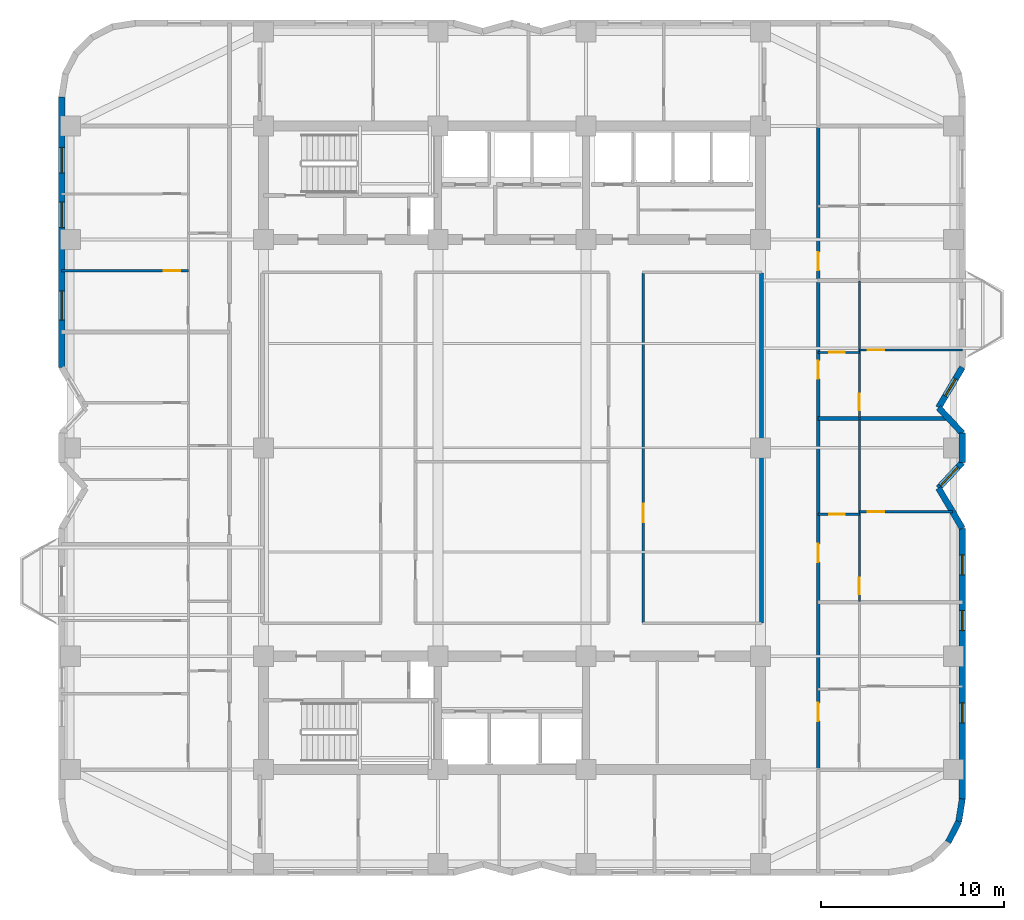
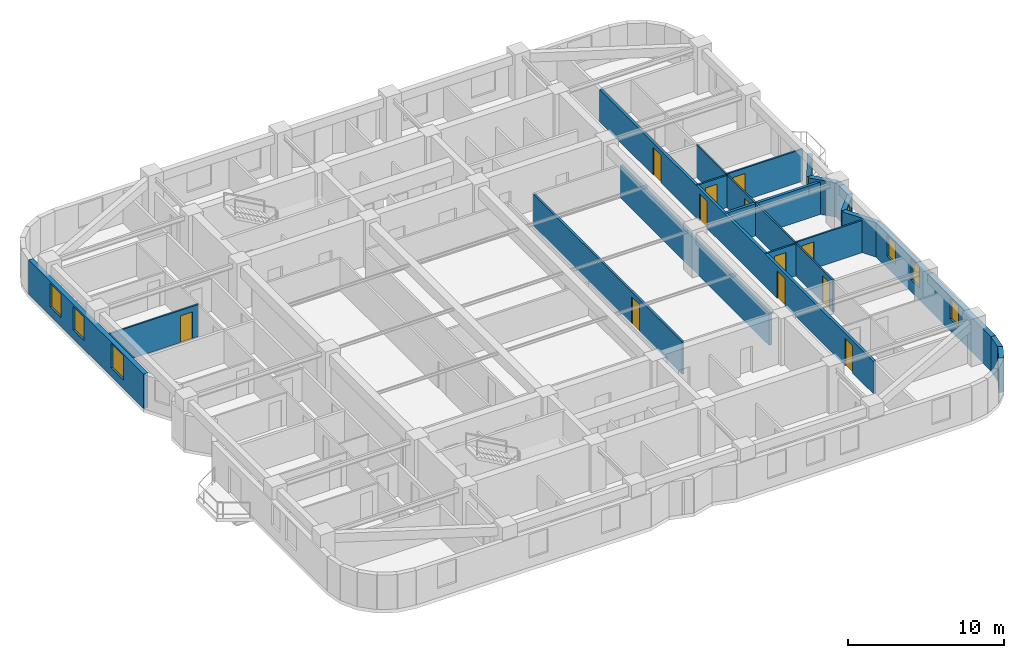
# One storey, part 5 of 10: 20 walls, 12 doors, 8 windows, 20 openings.
"""IFC4 building model written with IfcOpenShell, lengths in metres."""

import ifcopenshell
import ifcopenshell.guid

model = None  # the IFC model being written
_history = None  # IfcOwnerHistory: only IFC2X3 demands one
_inside = {}  # id of a spatial element -> (the spatial element, [elements in it])
_under = {}  # id of a project, library or spatial element -> (it, [spatial elements below it])
_declared = {}  # id of a project -> (the project, [libraries it declares])
_typed = {}  # id of a type object -> (the type object, [elements of that type])
_made_of = {}  # id of a material, layer set ... -> (it, [elements and type objects made of it])


def new_model(schema):
    """Start an empty IFC model of exactly this schema.

    Asked for "IFC4X3", IfcOpenShell would pick the latest addendum, in which some entities
    have other attributes; the version numbers below select the first issue.
    IFC2X3 requires an IfcOwnerHistory on every rooted entity: one is made here for all.
    """
    global model, _history
    if schema == "IFC4X3":
        model = ifcopenshell.file(schema_version=(4, 3, 0, 0))
    else:
        model = ifcopenshell.file(schema=schema)
    _inside.clear()
    _under.clear()
    _declared.clear()
    _typed.clear()
    _made_of.clear()
    _history = None
    if model.schema == "IFC2X3":
        org = make("IfcOrganization", Name="unknown")
        user = make(
            "IfcPersonAndOrganization",
            ThePerson=make("IfcPerson", FamilyName="unknown"),
            TheOrganization=org,
        )
        app = make(
            "IfcApplication",
            ApplicationDeveloper=org,
            Version="unknown",
            ApplicationFullName="unknown",
            ApplicationIdentifier="unknown",
        )
        _history = make(
            "IfcOwnerHistory",
            OwningUser=user,
            OwningApplication=app,
            ChangeAction="ADDED",
            CreationDate=0,
        )
    return model


def make(cls, **values):
    """One entity of the class cls with the attributes given. An attribute that is None is left unset."""
    return model.create_entity(
        cls, **{name: value for name, value in values.items() if value is not None}
    )


def rooted(cls, **values):
    """An entity with a GlobalId (a new one), such as an element, a storey or a relation."""
    return make(cls, GlobalId=ifcopenshell.guid.new(), OwnerHistory=_history, **values)


def si_unit(unit_type, name, prefix=None):
    """IfcSIUnit, for example si_unit("LENGTHUNIT", "METRE", prefix="MILLI")."""
    return make("IfcSIUnit", UnitType=unit_type, Prefix=prefix, Name=name)


def assignment(units):
    """IfcUnitAssignment: the units of a project."""
    return None if units is None else make("IfcUnitAssignment", Units=units)


def point(xyz):
    """IfcCartesianPoint."""
    return None if xyz is None else make("IfcCartesianPoint", Coordinates=xyz)


def direction(xyz):
    """IfcDirection."""
    return None if xyz is None else make("IfcDirection", DirectionRatios=xyz)


def frame(location, z_axis=None, x_axis=None):
    """IfcAxis2Placement3D, a coordinate frame: its origin and axes. An axis left out is left unset."""
    return make(
        "IfcAxis2Placement3D",
        Location=point(location),
        Axis=direction(z_axis),
        RefDirection=direction(x_axis),
    )


def frame_2d(location, x_axis=None):
    """IfcAxis2Placement2D, a coordinate frame in the plane: its origin and x axis."""
    return make(
        "IfcAxis2Placement2D", Location=point(location), RefDirection=direction(x_axis)
    )


def origin():
    """The frame at (0, 0, 0) with its axes left unset."""
    return frame((0.0, 0.0, 0.0))


def place(relative_to, where):
    """IfcLocalPlacement: puts the frame where relative to a parent placement (None: the world)."""
    return make(
        "IfcLocalPlacement", PlacementRelTo=relative_to, RelativePlacement=where
    )


def context(
    kind, dimensions, precision=None, world=None, true_north=None, identifier=None
):
    """IfcGeometricRepresentationContext, for example the 3D "Model" context."""
    return make(
        "IfcGeometricRepresentationContext",
        ContextIdentifier=identifier,
        ContextType=kind,
        CoordinateSpaceDimension=dimensions,
        Precision=precision,
        WorldCoordinateSystem=world,
        TrueNorth=true_north,
    )


def subcontext(parent, identifier, kind, view, scale=None):
    """IfcGeometricRepresentationSubContext, for example "Body" below "Model"."""
    return make(
        "IfcGeometricRepresentationSubContext",
        ContextIdentifier=identifier,
        ContextType=kind,
        ParentContext=parent,
        TargetScale=scale,
        TargetView=view,
    )


def project(units=None, contexts=None):
    """IfcProject with its units and contexts."""
    return rooted(
        "IfcProject",
        Name="project",
        RepresentationContexts=contexts,
        UnitsInContext=assignment(units),
    )


def spatial(cls, under=None, at=None, **own):
    """A site, building, storey or space (cls), placed at a placement, below another one or the project."""
    s = rooted(cls, ObjectPlacement=at, **own)
    if under is not None:
        _under.setdefault(under.id(), (under, []))[1].append(s)
    return s


def profile(cls, at=None, kind="AREA", **sizes):
    """A parametric profile (cls). Its sizes go by their IFC names, for example OverallWidth=200.0."""
    return make(cls, ProfileType=kind, Position=at, **sizes)


def rectangle(**sizes):
    """IfcRectangleProfileDef."""
    return profile("IfcRectangleProfileDef", **sizes)


def extrude(swept, where, along, depth):
    """IfcExtrudedAreaSolid: the profile swept, set in the frame where, extruded along a direction by depth."""
    return make(
        "IfcExtrudedAreaSolid",
        SweptArea=swept,
        Position=where,
        ExtrudedDirection=direction(along),
        Depth=depth,
    )


def shape(context_of_items, identifier, shape_type, items):
    """IfcShapeRepresentation: the items that make up one representation, for example the "Body"."""
    return make(
        "IfcShapeRepresentation",
        ContextOfItems=context_of_items,
        RepresentationIdentifier=identifier,
        RepresentationType=shape_type,
        Items=items,
    )


def material(Name=None, Category=None):
    """IfcMaterial."""
    return make("IfcMaterial", Name=Name, Category=Category)


def layer(
    of_material, thickness, ventilated=None, Name=None, Category=None, Priority=None
):
    """IfcMaterialLayer: one layer of a wall or slab, of a material (None: an air gap)."""
    return make(
        "IfcMaterialLayer",
        Material=of_material,
        LayerThickness=thickness,
        IsVentilated=ventilated,
        Name=Name,
        Category=Category,
        Priority=Priority,
    )


def layer_set(layers, Name=None):
    """IfcMaterialLayerSet."""
    return make("IfcMaterialLayerSet", MaterialLayers=layers, LayerSetName=Name)


def made_of(thing, what):
    """Note that an element or type object is made of a material, layer set ...; save() writes the relation."""
    if what is not None:
        _made_of.setdefault(what.id(), (what, []))[1].append(thing)
    return thing


def type_object(cls, material=None, **own):
    """A type object (cls), such as IfcWallType, which elements share."""
    return made_of(rooted(cls, **own), material)


def element(
    cls,
    number,
    at=None,
    inside=None,
    cuts=None,
    type_object=None,
    material=None,
    context=None,
    identifier="Body",
    shape_type=None,
    held_by="IfcProductDefinitionShape",
    body=None,
    shapes=None,
    **own,
):
    """One element of the class cls, such as IfcWall. Its Tag is "e" and its number.

    at: its placement. inside: the storey or other place that contains it. cuts: it is an
    opening in that element (IfcRelVoidsElement). A single representation is given by context,
    identifier, shape_type and body (its items); several are given by shapes. held_by: the class
    of the entity that holds the representations. save() writes the other relations.
    """
    e = rooted(cls, Tag="e%d" % number, ObjectPlacement=at, **own)
    if body is not None:
        shapes = [shape(context, identifier, shape_type, body)]
    if shapes is not None:
        e.Representation = make(held_by, Representations=shapes)
    if inside is not None:
        _inside.setdefault(inside.id(), (inside, []))[1].append(e)
    if cuts is not None:
        rooted(
            "IfcRelVoidsElement", RelatingBuildingElement=cuts, RelatedOpeningElement=e
        )
    if type_object is not None:
        _typed.setdefault(type_object.id(), (type_object, []))[1].append(e)
    return made_of(e, material)


def fill(opening, filler):
    """IfcRelFillsElement: the door or window that sits in an opening."""
    return rooted(
        "IfcRelFillsElement",
        RelatingOpeningElement=opening,
        RelatedBuildingElement=filler,
    )


def aggregate(whole, parts):
    """IfcRelAggregates: a whole, such as a stair, and the parts it consists of."""
    return rooted("IfcRelAggregates", RelatingObject=whole, RelatedObjects=parts)


def save(model, path):
    """Write the relations noted so far, then the file.

    IfcRelAggregates (storeys below a building ...), IfcRelContainedInSpatialStructure (elements
    in a storey), IfcRelDefinesByType, IfcRelAssociatesMaterial and IfcRelDeclares: one each for
    every whole, place, type object, material and project.
    """
    for whole, parts in _under.values():
        aggregate(whole, parts)
    for where, things in _inside.values():
        rooted(
            "IfcRelContainedInSpatialStructure",
            RelatedElements=things,
            RelatingStructure=where,
        )
    for kind, things in _typed.values():
        rooted("IfcRelDefinesByType", RelatedObjects=things, RelatingType=kind)
    for what, things in _made_of.values():
        rooted("IfcRelAssociatesMaterial", RelatedObjects=things, RelatingMaterial=what)
    for by, libraries in _declared.values():
        rooted("IfcRelDeclares", RelatingContext=by, RelatedDefinitions=libraries)
    model.write(path)


model = new_model("IFC4")

# Units and contexts
model_context = context("Model", 3, precision=1e-05, world=origin(), true_north=direction((0.0, 1.0)))
body_context = subcontext(model_context, "Body", "Model", "MODEL_VIEW")
ifc_project = project(units=[si_unit("LENGTHUNIT", "METRE"), si_unit("AREAUNIT", "SQUARE_METRE"), si_unit("VOLUMEUNIT", "CUBIC_METRE"), si_unit("PLANEANGLEUNIT", "RADIAN"), si_unit("MASSUNIT", "GRAM", prefix="KILO")], contexts=[model_context])

# Site, building, storey
site_placement = place(None, origin())
site = spatial("IfcSite", under=ifc_project, at=site_placement, CompositionType="ELEMENT")
building_placement = place(site_placement, origin())
building = spatial("IfcBuilding", under=site, at=building_placement, Name="Svetorya Sky Lyceum", CompositionType="ELEMENT")
storey_placement = place(building_placement, frame((0.0, 0.0, 110.5)))
storey = spatial("IfcBuildingStorey", under=building, at=storey_placement, Name="L27", CompositionType="ELEMENT", Elevation=110.5)

# Walls
ifc_material_1 = material(Name="Putilovo limestone rainscreen on autoclaved cellular masonry", Category="masonry")
ifc_layer_1 = layer(ifc_material_1, 0.340087890625)
ifc_layer_set_1 = layer_set([ifc_layer_1], Name="Putilovo limestone rainscreen on autoclaved cellular masonry")
wall_type_1 = type_object("IfcWallType", Name="WL-EXT-340", PredefinedType="SOLIDWALL", material=ifc_layer_set_1)
for number, where, z_axis, x_axis, name in (
    (1, (63.060302734375, 6.631103515625, 0.0), (0.0, 0.0, 1.0), (0.454015689056, 0.890993689142, 0.0), "L27 Limestone Exterior Wall 15M"),
    (2, (63.6328125, 7.754638671875, 0.0), (0.0, 0.0, 1.0), (0.15644975923, 0.987685918112, 0.0), "L27 Limestone Exterior Wall 16M"),
):
    element("IfcWall", number, at=place(storey_placement, frame(where, z_axis=z_axis, x_axis=x_axis)), inside=storey, type_object=wall_type_1, Name=name, PredefinedType="SOLIDWALL", context=body_context, shape_type="SweptSolid", body=[
        extrude(rectangle(XDim=1.260986328125, YDim=0.340087890625, at=frame_2d((0.63037109375, 0.0))), origin(), (0.0, 0.0, 1.0), 2.699951171875),
    ])

# Wall, openings, windows
wall_1_placement = place(storey_placement, frame((63.830078125, 9.0, 0.0), z_axis=(0.0, 0.0, 1.0), x_axis=(0.0, 1.0, 0.0)))
wall_1 = element("IfcWall", 3, at=wall_1_placement, inside=storey, type_object=wall_type_1, Name="L27 Limestone Exterior Wall 17M", PredefinedType="SOLIDWALL", context=body_context, shape_type="SweptSolid", body=[
    extrude(rectangle(XDim=14.800048828125, YDim=0.340087890625, at=frame_2d((7.39990234375, 0.0))), origin(), (0.0, 0.0, 1.0), 2.699951171875),
])
opening_1_placement = place(wall_1_placement, frame((4.14990234375, 0.0, 0.929931640625)))
opening_1 = element("IfcOpeningElement", 4, at=opening_1_placement, cuts=wall_1, Name="Opening W-R3", PredefinedType="OPENING", context=body_context, shape_type="SweptSolid", body=[
    extrude(rectangle(XDim=1.10009765625, YDim=1.64990234375, at=frame_2d((0.550048828125, 0.824951171875))), frame((0.0, 0.179931640625, 0.0), z_axis=(0.0, -1.0, 0.0), x_axis=(1.0, 0.0, 0.0)), (0.0, 0.0, 1.0), 0.360107421875),
])
opening_2_placement = place(wall_1_placement, frame((9.199951171875, 0.0, 0.929931640625)))
opening_2 = element("IfcOpeningElement", 5, at=opening_2_placement, cuts=wall_1, Name="Opening W-R3", PredefinedType="OPENING", context=body_context, shape_type="SweptSolid", body=[
    extrude(rectangle(XDim=1.10009765625, YDim=1.64990234375, at=frame_2d((0.550048828125, 0.824951171875))), frame((0.0, 0.179931640625, 0.0), z_axis=(0.0, -1.0, 0.0), x_axis=(1.0, 0.0, 0.0)), (0.0, 0.0, 1.0), 0.360107421875),
])
opening_3_placement = place(wall_1_placement, frame((12.25, 0.0, 0.929931640625)))
opening_3 = element("IfcOpeningElement", 6, at=opening_3_placement, cuts=wall_1, Name="Opening W-R3", PredefinedType="OPENING", context=body_context, shape_type="SweptSolid", body=[
    extrude(rectangle(XDim=1.10009765625, YDim=1.64990234375, at=frame_2d((0.550048828125, 0.824951171875))), frame((0.0, 0.179931640625, 0.0), z_axis=(0.0, -1.0, 0.0), x_axis=(1.0, 0.0, 0.0)), (0.0, 0.0, 1.0), 0.360107421875),
])
ifc_material_2 = material(Name="Thermally broken aluminium frame with triple low-E glazing", Category="aluminium")
window_type_1 = type_object("IfcWindowType", Name="WN-RES-110", PartitioningType="SINGLE_PANEL", PredefinedType="WINDOW", material=ifc_material_2)
window_1_placement = place(opening_1_placement, origin())
window_1 = element("IfcWindow", 7, at=window_1_placement, inside=storey, type_object=window_type_1, Name="L27 Facade Window W-R3.17M.1", OverallHeight=1.64990234375, OverallWidth=1.10009765625, PartitioningType="SINGLE_PANEL", PredefinedType="WINDOW", context=body_context, shape_type="SweptSolid", body=[
    extrude(rectangle(XDim=1.10009765625, YDim=1.64990234375, at=frame_2d((0.550048828125, 0.824951171875))), frame((0.0, 0.030029296875, 0.0), z_axis=(0.0, -1.0, 0.0), x_axis=(1.0, 0.0, 0.0)), (0.0, 0.0, 1.0), 0.06005859375),
])
fill(opening_1, window_1)
window_2_placement = place(opening_2_placement, origin())
window_2 = element("IfcWindow", 8, at=window_2_placement, inside=storey, type_object=window_type_1, Name="L27 Facade Window W-R3.17M.2", OverallHeight=1.64990234375, OverallWidth=1.10009765625, PartitioningType="SINGLE_PANEL", PredefinedType="WINDOW", context=body_context, shape_type="SweptSolid", body=[
    extrude(rectangle(XDim=1.10009765625, YDim=1.64990234375, at=frame_2d((0.550048828125, 0.824951171875))), frame((0.0, 0.030029296875, 0.0), z_axis=(0.0, -1.0, 0.0), x_axis=(1.0, 0.0, 0.0)), (0.0, 0.0, 1.0), 0.06005859375),
])
fill(opening_2, window_2)
window_3_placement = place(opening_3_placement, origin())
window_3 = element("IfcWindow", 9, at=window_3_placement, inside=storey, type_object=window_type_1, Name="L27 Facade Window W-R3.17M.3", OverallHeight=1.64990234375, OverallWidth=1.10009765625, PartitioningType="SINGLE_PANEL", PredefinedType="WINDOW", context=body_context, shape_type="SweptSolid", body=[
    extrude(rectangle(XDim=1.10009765625, YDim=1.64990234375, at=frame_2d((0.550048828125, 0.824951171875))), frame((0.0, 0.030029296875, 0.0), z_axis=(0.0, -1.0, 0.0), x_axis=(1.0, 0.0, 0.0)), (0.0, 0.0, 1.0), 0.06005859375),
])
fill(opening_3, window_3)

# Wall
wall_2_placement = place(storey_placement, frame((63.830078125, 23.800048828125, 0.0), z_axis=(0.0, 0.0, 1.0), x_axis=(-0.508751843651, 0.860913213734, 0.0)))
element("IfcWall", 10, at=wall_2_placement, inside=storey, type_object=wall_type_1, Name="L27 Limestone Exterior Wall 18M", PredefinedType="SOLIDWALL", context=body_context, shape_type="SweptSolid", body=[
    extrude(rectangle(XDim=2.555419921875, YDim=0.340087890625, at=frame_2d((1.27783203125, 0.0))), origin(), (0.0, 0.0, 1.0), 2.699951171875),
])

# Wall, opening, window
wall_3_placement = place(storey_placement, frame((62.530029296875, 26.0, 0.0), z_axis=(0.0, 0.0, 1.0), x_axis=(0.68049031116, 0.732757078722, 0.0)))
wall_3 = element("IfcWall", 11, at=wall_3_placement, inside=storey, type_object=wall_type_1, Name="L27 Limestone Exterior Wall 19M", PredefinedType="SOLIDWALL", context=body_context, shape_type="SweptSolid", body=[
    extrude(rectangle(XDim=1.910400390625, YDim=0.340087890625, at=frame_2d((0.955078125, 0.0))), origin(), (0.0, 0.0, 1.0), 2.699951171875),
])
opening_4_placement = place(wall_3_placement, frame((0.159912109375, 0.0, 0.68994140625)))
opening_4 = element("IfcOpeningElement", 12, at=opening_4_placement, cuts=wall_3, Name="Opening W-R2", PredefinedType="OPENING", context=body_context, shape_type="SweptSolid", body=[
    extrude(rectangle(XDim=1.39990234375, YDim=1.85009765625, at=frame_2d((0.699951171875, 0.925048828125))), frame((0.0, 0.179931640625, 0.0), z_axis=(0.0, -1.0, 0.0), x_axis=(1.0, 0.0, 0.0)), (0.0, 0.0, 1.0), 0.360107421875),
])
window_type_2 = type_object("IfcWindowType", Name="WN-RES-140", PartitioningType="SINGLE_PANEL", PredefinedType="WINDOW", material=ifc_material_2)
window_4_placement = place(opening_4_placement, origin())
window_4 = element("IfcWindow", 13, at=window_4_placement, inside=storey, type_object=window_type_2, Name="L27 Facade Window W-R2.19M.1", OverallHeight=1.85009765625, OverallWidth=1.39990234375, PartitioningType="SINGLE_PANEL", PredefinedType="WINDOW", context=body_context, shape_type="SweptSolid", body=[
    extrude(rectangle(XDim=1.39990234375, YDim=1.85009765625, at=frame_2d((0.699951171875, 0.925048828125))), frame((0.0, 0.030029296875, 0.0), z_axis=(0.0, -1.0, 0.0), x_axis=(1.0, 0.0, 0.0)), (0.0, 0.0, 1.0), 0.06005859375),
])
fill(opening_4, window_4)

# Walls
wall_4_placement = place(storey_placement, frame((63.830078125, 27.39990234375, 0.0), z_axis=(0.0, 0.0, 1.0), x_axis=(0.0, 1.0, 0.0)))
element("IfcWall", 14, at=wall_4_placement, inside=storey, type_object=wall_type_1, Name="L27 Limestone Exterior Wall 20M", PredefinedType="SOLIDWALL", context=body_context, shape_type="SweptSolid", body=[
    extrude(rectangle(XDim=1.60009765625, YDim=0.340087890625, at=frame_2d((0.800048828125, 0.0))), origin(), (0.0, 0.0, 1.0), 2.699951171875),
])
wall_5_placement = place(storey_placement, frame((63.830078125, 29.0, 0.0), z_axis=(0.0, 0.0, 1.0), x_axis=(-0.68049031116, 0.732757078722, 0.0)))
element("IfcWall", 15, at=wall_5_placement, inside=storey, type_object=wall_type_1, Name="L27 Limestone Exterior Wall 21M", PredefinedType="SOLIDWALL", context=body_context, shape_type="SweptSolid", body=[
    extrude(rectangle(XDim=1.910400390625, YDim=0.340087890625, at=frame_2d((0.955078125, 0.0))), origin(), (0.0, 0.0, 1.0), 2.699951171875),
])

# Wall, opening, window
wall_6_placement = place(storey_placement, frame((62.530029296875, 30.39990234375, 0.0), z_axis=(0.0, 0.0, 1.0), x_axis=(0.508710000703, 0.860937939218, 0.0)))
wall_6 = element("IfcWall", 16, at=wall_6_placement, inside=storey, type_object=wall_type_1, Name="L27 Limestone Exterior Wall 22M", PredefinedType="SOLIDWALL", context=body_context, shape_type="SweptSolid", body=[
    extrude(rectangle(XDim=2.5556640625, YDim=0.340087890625, at=frame_2d((1.27783203125, 0.0))), origin(), (0.0, 0.0, 1.0), 2.699951171875),
])
opening_5_placement = place(wall_6_placement, frame((0.727783203125, 0.0, 0.889892578125)))
opening_5 = element("IfcOpeningElement", 17, at=opening_5_placement, cuts=wall_6, Name="Opening W-R3", PredefinedType="OPENING", context=body_context, shape_type="SweptSolid", body=[
    extrude(rectangle(XDim=1.10009765625, YDim=1.64990234375, at=frame_2d((0.550048828125, 0.824951171875))), frame((0.0, 0.179931640625, 0.0), z_axis=(0.0, -1.0, 0.0), x_axis=(1.0, 0.0, 0.0)), (0.0, 0.0, 1.0), 0.360107421875),
])
window_5_placement = place(opening_5_placement, origin())
window_5 = element("IfcWindow", 18, at=window_5_placement, inside=storey, type_object=window_type_1, Name="L27 Facade Window W-R3.22M.1", OverallHeight=1.64990234375, OverallWidth=1.10009765625, PartitioningType="SINGLE_PANEL", PredefinedType="WINDOW", context=body_context, shape_type="SweptSolid", body=[
    extrude(rectangle(XDim=1.10009765625, YDim=1.64990234375, at=frame_2d((0.550048828125, 0.824951171875))), frame((0.0, 0.030029296875, 0.0), z_axis=(0.0, -1.0, 0.0), x_axis=(1.0, 0.0, 0.0)), (0.0, 0.0, 1.0), 0.06005859375),
])
fill(opening_5, window_5)

# Wall, openings, windows
wall_7_placement = place(storey_placement, frame((14.570068359375, 47.39990234375, 0.0), z_axis=(0.0, 0.0, 1.0), x_axis=(0.0, -1.0, 0.0)))
wall_7 = element("IfcWall", 19, at=wall_7_placement, inside=storey, type_object=wall_type_1, Name="L27 Limestone Exterior Wall 40M", PredefinedType="SOLIDWALL", context=body_context, shape_type="SweptSolid", body=[
    extrude(rectangle(XDim=14.7998046875, YDim=0.340087890625, at=frame_2d((7.39990234375, 0.0))), origin(), (0.0, 0.0, 1.0), 2.699951171875),
])
opening_6_placement = place(wall_7_placement, frame((2.760009765625, 0.0, 0.68994140625)))
opening_6 = element("IfcOpeningElement", 20, at=opening_6_placement, cuts=wall_7, Name="Opening W-R2", PredefinedType="OPENING", context=body_context, shape_type="SweptSolid", body=[
    extrude(rectangle(XDim=1.39990234375, YDim=1.85009765625, at=frame_2d((0.699951171875, 0.925048828125))), frame((0.0, 0.179931640625, 0.0), z_axis=(0.0, -1.0, 0.0), x_axis=(1.0, 0.0, 0.0)), (0.0, 0.0, 1.0), 0.360107421875),
])
opening_7_placement = place(wall_7_placement, frame((5.760009765625, 0.0, 0.68994140625)))
opening_7 = element("IfcOpeningElement", 21, at=opening_7_placement, cuts=wall_7, Name="Opening W-R2", PredefinedType="OPENING", context=body_context, shape_type="SweptSolid", body=[
    extrude(rectangle(XDim=1.39990234375, YDim=1.85009765625, at=frame_2d((0.699951171875, 0.925048828125))), frame((0.0, 0.179931640625, 0.0), z_axis=(0.0, -1.0, 0.0), x_axis=(1.0, 0.0, 0.0)), (0.0, 0.0, 1.0), 0.360107421875),
])
opening_8_placement = place(wall_7_placement, frame((10.612548828125, 0.0, 0.679931640625)))
opening_8 = element("IfcOpeningElement", 22, at=opening_8_placement, cuts=wall_7, Name="Opening W-R4", PredefinedType="OPENING", context=body_context, shape_type="SweptSolid", body=[
    extrude(rectangle(XDim=1.60009765625, YDim=1.89990234375, at=frame_2d((0.800048828125, 0.949951171875))), frame((0.0, 0.179931640625, 0.0), z_axis=(0.0, -1.0, 0.0), x_axis=(1.0, 0.0, 0.0)), (0.0, 0.0, 1.0), 0.360107421875),
])
window_6_placement = place(opening_6_placement, origin())
window_6 = element("IfcWindow", 23, at=window_6_placement, inside=storey, type_object=window_type_2, Name="L27 Facade Window W-R2.40M.3", OverallHeight=1.85009765625, OverallWidth=1.39990234375, PartitioningType="SINGLE_PANEL", PredefinedType="WINDOW", context=body_context, shape_type="SweptSolid", body=[
    extrude(rectangle(XDim=1.39990234375, YDim=1.85009765625, at=frame_2d((0.699951171875, 0.925048828125))), frame((0.0, 0.030029296875, 0.0), z_axis=(0.0, -1.0, 0.0), x_axis=(1.0, 0.0, 0.0)), (0.0, 0.0, 1.0), 0.06005859375),
])
fill(opening_6, window_6)
window_7_placement = place(opening_7_placement, origin())
window_7 = element("IfcWindow", 24, at=window_7_placement, inside=storey, type_object=window_type_2, Name="L27 Facade Window W-R2.40M.2", OverallHeight=1.85009765625, OverallWidth=1.39990234375, PartitioningType="SINGLE_PANEL", PredefinedType="WINDOW", context=body_context, shape_type="SweptSolid", body=[
    extrude(rectangle(XDim=1.39990234375, YDim=1.85009765625, at=frame_2d((0.699951171875, 0.925048828125))), frame((0.0, 0.030029296875, 0.0), z_axis=(0.0, -1.0, 0.0), x_axis=(1.0, 0.0, 0.0)), (0.0, 0.0, 1.0), 0.06005859375),
])
fill(opening_7, window_7)
window_type_3 = type_object("IfcWindowType", Name="WN-RES-160", PartitioningType="DOUBLE_PANEL_VERTICAL", PredefinedType="WINDOW", material=ifc_material_2)
window_8_placement = place(opening_8_placement, origin())
window_8 = element("IfcWindow", 25, at=window_8_placement, inside=storey, type_object=window_type_3, Name="L27 Facade Window W-R4.40M.1", OverallHeight=1.89990234375, OverallWidth=1.60009765625, PartitioningType="SINGLE_PANEL", PredefinedType="WINDOW", context=body_context, shape_type="SweptSolid", body=[
    extrude(rectangle(XDim=1.60009765625, YDim=1.89990234375, at=frame_2d((0.800048828125, 0.949951171875))), frame((0.0, 0.030029296875, 0.0), z_axis=(0.0, -1.0, 0.0), x_axis=(1.0, 0.0, 0.0)), (0.0, 0.0, 1.0), 0.06005859375),
])
fill(opening_8, window_8)

# Wall, opening, door
ifc_material_3 = material(Name="Twin-stud galvanized framing with double fireboard", Category="gypsum")
ifc_layer_2 = layer(ifc_material_3, 0.1201171875)
ifc_layer_set_2 = layer_set([ifc_layer_2], Name="Twin-stud galvanized framing with double fireboard")
wall_type_2 = type_object("IfcWallType", Name="WL-PART-120", PredefinedType="PARTITIONING", material=ifc_layer_set_2)
wall_8_placement = place(storey_placement, frame((14.570068359375, 37.885986328125, 0.0), z_axis=(0.0, 0.0, 1.0), x_axis=(1.0, 0.0, 0.0)))
wall_8 = element("IfcWall", 26, at=wall_8_placement, inside=storey, type_object=wall_type_2, Name="L27 Interior Partition W3-WL1", PredefinedType="PARTITIONING", context=body_context, shape_type="SweptSolid", body=[
    extrude(rectangle(XDim=6.929931640625, YDim=0.1201171875, at=frame_2d((3.46484375, 0.0))), origin(), (0.0, 0.0, 1.0), 2.530029296875),
])
opening_9_placement = place(wall_8_placement, frame((5.580078125, 0.0, 0.0)))
opening_9 = element("IfcOpeningElement", 27, at=opening_9_placement, cuts=wall_8, Name="Opening D-RM1", PredefinedType="OPENING", context=body_context, shape_type="SweptSolid", body=[
    extrude(rectangle(XDim=0.89990234375, YDim=2.10009765625, at=frame_2d((0.449951171875, 1.050048828125))), frame((0.0, 0.070068359375, 0.0), z_axis=(0.0, -1.0, 0.0), x_axis=(1.0, 0.0, 0.0)), (0.0, 0.0, 1.0), 0.14013671875),
])
ifc_material_4 = material(Name="Lacquered birch veneer internal door")
door_type_1 = type_object("IfcDoorType", Name="DR-INT-900", OperationType="SINGLE_SWING_LEFT", PredefinedType="DOOR", material=ifc_material_4)
door_1_placement = place(opening_9_placement, origin())
door_1 = element("IfcDoor", 28, at=door_1_placement, inside=storey, type_object=door_type_1, Name="Apartment W3 Master Bedroom Door", OperationType="SINGLE_SWING_LEFT", OverallHeight=2.10009765625, OverallWidth=0.89990234375, PredefinedType="DOOR", context=body_context, shape_type="SweptSolid", body=[
    extrude(rectangle(XDim=0.89990234375, YDim=2.10009765625, at=frame_2d((0.449951171875, 1.050048828125))), frame((0.0, 0.02490234375, 0.0), z_axis=(0.0, -1.0, 0.0), x_axis=(1.0, 0.0, 0.0)), (0.0, 0.0, 1.0), 0.050048828125),
])
fill(opening_9, door_1)

wall_9_placement = place(storey_placement, frame((55.949951171875, 24.572021484375, 0.0), z_axis=(0.0, 0.0, 1.0), x_axis=(1.0, 0.0, 0.0)))
wall_9 = element("IfcWall", 29, at=wall_9_placement, inside=storey, type_object=wall_type_2, Name="L27 Interior Partition E2-WH1", PredefinedType="PARTITIONING", context=body_context, shape_type="SweptSolid", body=[
    extrude(rectangle(XDim=2.25, YDim=0.1201171875, at=frame_2d((1.125, 0.0))), origin(), (0.0, 0.0, 1.0), 2.530029296875),
])
opening_10_placement = place(wall_9_placement, frame((0.60009765625, 0.0, 0.0)))
opening_10 = element("IfcOpeningElement", 30, at=opening_10_placement, cuts=wall_9, Name="Opening D-BT1", PredefinedType="OPENING", context=body_context, shape_type="SweptSolid", body=[
    extrude(rectangle(XDim=0.85009765625, YDim=2.10009765625, at=frame_2d((0.425048828125, 1.050048828125))), frame((0.0, 0.070068359375, 0.0), z_axis=(0.0, -1.0, 0.0), x_axis=(1.0, 0.0, 0.0)), (0.0, 0.0, 1.0), 0.14013671875),
])
ifc_material_5 = material(Name="Moisture-resistant laminate bathroom door")
door_type_2 = type_object("IfcDoorType", Name="DR-WET-850", OperationType="SINGLE_SWING_LEFT", PredefinedType="DOOR", material=ifc_material_5)
door_2_placement = place(opening_10_placement, origin())
door_2 = element("IfcDoor", 31, at=door_2_placement, inside=storey, type_object=door_type_2, Name="Apartment E2 Bathroom Door", OperationType="SINGLE_SWING_LEFT", OverallHeight=2.10009765625, OverallWidth=0.85009765625, PredefinedType="DOOR", context=body_context, shape_type="SweptSolid", body=[
    extrude(rectangle(XDim=0.85009765625, YDim=2.10009765625, at=frame_2d((0.425048828125, 1.050048828125))), frame((0.0, 0.02490234375, 0.0), z_axis=(0.0, -1.0, 0.0), x_axis=(1.0, 0.0, 0.0)), (0.0, 0.0, 1.0), 0.050048828125),
])
fill(opening_10, door_2)

wall_10_placement = place(storey_placement, frame((58.199951171875, 24.701904296875, 0.0), z_axis=(0.0, 0.0, 1.0), x_axis=(1.0, 0.0, 0.0)))
wall_10 = element("IfcWall", 32, at=wall_10_placement, inside=storey, type_object=wall_type_2, Name="L27 Interior Partition E2-WL1", PredefinedType="PARTITIONING", context=body_context, shape_type="SweptSolid", body=[
    extrude(rectangle(XDim=5.09716796875, YDim=0.1201171875, at=frame_2d((2.548583984375, 0.0))), origin(), (0.0, 0.0, 1.0), 2.530029296875),
])
opening_11_placement = place(wall_10_placement, frame((0.449951171875, 0.0, 0.0)))
opening_11 = element("IfcOpeningElement", 33, at=opening_11_placement, cuts=wall_10, Name="Opening D-RM1", PredefinedType="OPENING", context=body_context, shape_type="SweptSolid", body=[
    extrude(rectangle(XDim=0.89990234375, YDim=2.10009765625, at=frame_2d((0.449951171875, 1.050048828125))), frame((0.0, 0.070068359375, 0.0), z_axis=(0.0, -1.0, 0.0), x_axis=(1.0, 0.0, 0.0)), (0.0, 0.0, 1.0), 0.14013671875),
])
door_3_placement = place(opening_11_placement, origin())
door_3 = element("IfcDoor", 34, at=door_3_placement, inside=storey, type_object=door_type_1, Name="Apartment E2 Bedroom 1 Door", OperationType="SINGLE_SWING_LEFT", OverallHeight=2.10009765625, OverallWidth=0.89990234375, PredefinedType="DOOR", context=body_context, shape_type="SweptSolid", body=[
    extrude(rectangle(XDim=0.89990234375, YDim=2.10009765625, at=frame_2d((0.449951171875, 1.050048828125))), frame((0.0, 0.02490234375, 0.0), z_axis=(0.0, -1.0, 0.0), x_axis=(1.0, 0.0, 0.0)), (0.0, 0.0, 1.0), 0.050048828125),
])
fill(opening_11, door_3)

wall_11_placement = place(storey_placement, frame((58.199951171875, 19.7919921875, 0.0), z_axis=(0.0, 0.0, 1.0), x_axis=(0.0, 1.0, 0.0)))
wall_11 = element("IfcWall", 35, at=wall_11_placement, inside=storey, type_object=wall_type_2, Name="L27 Interior Partition E2-WV", PredefinedType="PARTITIONING", context=body_context, shape_type="SweptSolid", body=[
    extrude(rectangle(XDim=9.968017578125, YDim=0.1201171875, at=frame_2d((4.98388671875, 0.0))), origin(), (0.0, 0.0, 1.0), 2.530029296875),
])
opening_12_placement = place(wall_11_placement, frame((0.409912109375, 0.0, 0.0)))
opening_12 = element("IfcOpeningElement", 36, at=opening_12_placement, cuts=wall_11, Name="Opening D-RM1", PredefinedType="OPENING", context=body_context, shape_type="SweptSolid", body=[
    extrude(rectangle(XDim=0.89990234375, YDim=2.10009765625, at=frame_2d((0.449951171875, 1.050048828125))), frame((0.0, 0.070068359375, 0.0), z_axis=(0.0, -1.0, 0.0), x_axis=(1.0, 0.0, 0.0)), (0.0, 0.0, 1.0), 0.14013671875),
])
door_4_placement = place(opening_12_placement, origin())
door_4 = element("IfcDoor", 37, at=door_4_placement, inside=storey, type_object=door_type_1, Name="Apartment E2 Living Door", OperationType="SINGLE_SWING_RIGHT", OverallHeight=2.10009765625, OverallWidth=0.89990234375, PredefinedType="DOOR", context=body_context, shape_type="SweptSolid", body=[
    extrude(rectangle(XDim=0.89990234375, YDim=2.10009765625, at=frame_2d((0.449951171875, 1.050048828125))), frame((0.0, 0.02490234375, 0.0), z_axis=(0.0, -1.0, 0.0), x_axis=(1.0, 0.0, 0.0)), (0.0, 0.0, 1.0), 0.050048828125),
])
fill(opening_12, door_4)

wall_12_placement = place(storey_placement, frame((55.949951171875, 33.419921875, 0.0), z_axis=(0.0, 0.0, 1.0), x_axis=(1.0, 0.0, 0.0)))
wall_12 = element("IfcWall", 38, at=wall_12_placement, inside=storey, type_object=wall_type_2, Name="L27 Interior Partition E3-WH1", PredefinedType="PARTITIONING", context=body_context, shape_type="SweptSolid", body=[
    extrude(rectangle(XDim=2.25, YDim=0.1201171875, at=frame_2d((1.125, 0.0))), origin(), (0.0, 0.0, 1.0), 2.530029296875),
])
opening_13_placement = place(wall_12_placement, frame((0.60009765625, 0.0, 0.0)))
opening_13 = element("IfcOpeningElement", 39, at=opening_13_placement, cuts=wall_12, Name="Opening D-BT1", PredefinedType="OPENING", context=body_context, shape_type="SweptSolid", body=[
    extrude(rectangle(XDim=0.85009765625, YDim=2.10009765625, at=frame_2d((0.425048828125, 1.050048828125))), frame((0.0, 0.070068359375, 0.0), z_axis=(0.0, -1.0, 0.0), x_axis=(1.0, 0.0, 0.0)), (0.0, 0.0, 1.0), 0.14013671875),
])
door_5_placement = place(opening_13_placement, origin())
door_5 = element("IfcDoor", 40, at=door_5_placement, inside=storey, type_object=door_type_2, Name="Apartment E3 Bathroom Door", OperationType="SINGLE_SWING_RIGHT", OverallHeight=2.10009765625, OverallWidth=0.85009765625, PredefinedType="DOOR", context=body_context, shape_type="SweptSolid", body=[
    extrude(rectangle(XDim=0.85009765625, YDim=2.10009765625, at=frame_2d((0.425048828125, 1.050048828125))), frame((0.0, 0.02490234375, 0.0), z_axis=(0.0, -1.0, 0.0), x_axis=(1.0, 0.0, 0.0)), (0.0, 0.0, 1.0), 0.050048828125),
])
fill(opening_13, door_5)

wall_13_placement = place(storey_placement, frame((58.199951171875, 33.550048828125, 0.0), z_axis=(0.0, 0.0, 1.0), x_axis=(1.0, 0.0, 0.0)))
wall_13 = element("IfcWall", 41, at=wall_13_placement, inside=storey, type_object=wall_type_2, Name="L27 Interior Partition E3-WL1", PredefinedType="PARTITIONING", context=body_context, shape_type="SweptSolid", body=[
    extrude(rectangle(XDim=5.630126953125, YDim=0.1201171875, at=frame_2d((2.81494140625, 0.0))), origin(), (0.0, 0.0, 1.0), 2.530029296875),
])
opening_14_placement = place(wall_13_placement, frame((0.449951171875, 0.0, 0.0)))
opening_14 = element("IfcOpeningElement", 42, at=opening_14_placement, cuts=wall_13, Name="Opening D-RM1", PredefinedType="OPENING", context=body_context, shape_type="SweptSolid", body=[
    extrude(rectangle(XDim=0.89990234375, YDim=2.10009765625, at=frame_2d((0.449951171875, 1.050048828125))), frame((0.0, 0.070068359375, 0.0), z_axis=(0.0, -1.0, 0.0), x_axis=(1.0, 0.0, 0.0)), (0.0, 0.0, 1.0), 0.14013671875),
])
door_6_placement = place(opening_14_placement, origin())
door_6 = element("IfcDoor", 43, at=door_6_placement, inside=storey, type_object=door_type_1, Name="Apartment E3 Bedroom 1 Door", OperationType="SINGLE_SWING_RIGHT", OverallHeight=2.10009765625, OverallWidth=0.89990234375, PredefinedType="DOOR", context=body_context, shape_type="SweptSolid", body=[
    extrude(rectangle(XDim=0.89990234375, YDim=2.10009765625, at=frame_2d((0.449951171875, 1.050048828125))), frame((0.0, 0.02490234375, 0.0), z_axis=(0.0, -1.0, 0.0), x_axis=(1.0, 0.0, 0.0)), (0.0, 0.0, 1.0), 0.050048828125),
])
fill(opening_14, door_6)

wall_14_placement = place(storey_placement, frame((58.199951171875, 29.840087890625, 0.0), z_axis=(0.0, 0.0, 1.0), x_axis=(0.0, 1.0, 0.0)))
wall_14 = element("IfcWall", 44, at=wall_14_placement, inside=storey, type_object=wall_type_2, Name="L27 Interior Partition E3-WV", PredefinedType="PARTITIONING", context=body_context, shape_type="SweptSolid", body=[
    extrude(rectangle(XDim=7.471923828125, YDim=0.1201171875, at=frame_2d((3.73583984375, 0.0))), origin(), (0.0, 0.0, 1.0), 2.530029296875),
])
opening_15_placement = place(wall_14_placement, frame((0.409912109375, 0.0, 0.0)))
opening_15 = element("IfcOpeningElement", 45, at=opening_15_placement, cuts=wall_14, Name="Opening D-RM1", PredefinedType="OPENING", context=body_context, shape_type="SweptSolid", body=[
    extrude(rectangle(XDim=0.89990234375, YDim=2.10009765625, at=frame_2d((0.449951171875, 1.050048828125))), frame((0.0, 0.070068359375, 0.0), z_axis=(0.0, -1.0, 0.0), x_axis=(1.0, 0.0, 0.0)), (0.0, 0.0, 1.0), 0.14013671875),
])
door_7_placement = place(opening_15_placement, origin())
door_7 = element("IfcDoor", 46, at=door_7_placement, inside=storey, type_object=door_type_1, Name="Apartment E3 Living Door", OperationType="SINGLE_SWING_LEFT", OverallHeight=2.10009765625, OverallWidth=0.89990234375, PredefinedType="DOOR", context=body_context, shape_type="SweptSolid", body=[
    extrude(rectangle(XDim=0.89990234375, YDim=2.10009765625, at=frame_2d((0.449951171875, 1.050048828125))), frame((0.0, 0.02490234375, 0.0), z_axis=(0.0, -1.0, 0.0), x_axis=(1.0, 0.0, 0.0)), (0.0, 0.0, 1.0), 0.050048828125),
])
fill(opening_15, door_7)

ifc_material_6 = material(Name="Autoclaved cellular masonry blockwork with acoustic render", Category="masonry")
ifc_layer_3 = layer(ifc_material_6, 0.14990234375)
ifc_layer_set_3 = layer_set([ifc_layer_3], Name="Autoclaved cellular masonry blockwork with acoustic render")
wall_type_3 = type_object("IfcWallType", Name="WL-PART-150", PredefinedType="PARTITIONING", material=ifc_layer_set_3)
wall_15_placement = place(storey_placement, frame((46.3798828125, 18.6298828125, 0.0), z_axis=(0.0, 0.0, 1.0), x_axis=(0.0, 1.0, 0.0)))
wall_15 = element("IfcWall", 47, at=wall_15_placement, inside=storey, type_object=wall_type_3, Name="L27 Interior Partition ISL-EE", PredefinedType="PARTITIONING", context=body_context, shape_type="SweptSolid", body=[
    extrude(rectangle(XDim=19.14013671875, YDim=0.14990234375, at=frame_2d((9.570068359375, 0.0))), origin(), (0.0, 0.0, 1.0), 2.530029296875),
])
opening_16_placement = place(wall_15_placement, frame((5.5, 0.0, 0.0)))
opening_16 = element("IfcOpeningElement", 48, at=opening_16_placement, cuts=wall_15, Name="Opening D-RM2", PredefinedType="OPENING", context=body_context, shape_type="SweptSolid", body=[
    extrude(rectangle(XDim=1.0, YDim=2.14990234375, at=frame_2d((0.5, 1.074951171875))), frame((0.0, 0.0849609375, 0.0), z_axis=(0.0, -1.0, 0.0), x_axis=(1.0, 0.0, 0.0)), (0.0, 0.0, 1.0), 0.169921875),
])
ifc_material_7 = material(Name="Solid-core oak acoustic room door")
door_type_3 = type_object("IfcDoorType", Name="DR-INT-1000", OperationType="SINGLE_SWING_LEFT", PredefinedType="DOOR", material=ifc_material_7)
door_8_placement = place(opening_16_placement, origin())
door_8 = element("IfcDoor", 49, at=door_8_placement, inside=storey, type_object=door_type_3, Name="L27 East Lounge Door", OperationType="SINGLE_SWING_RIGHT", OverallHeight=2.14990234375, OverallWidth=1.0, PredefinedType="DOOR", context=body_context, shape_type="SweptSolid", body=[
    extrude(rectangle(XDim=1.0, YDim=2.14990234375, at=frame_2d((0.5, 1.074951171875))), frame((0.0, 0.02490234375, 0.0), z_axis=(0.0, -1.0, 0.0), x_axis=(1.0, 0.0, 0.0)), (0.0, 0.0, 1.0), 0.050048828125),
])
fill(opening_16, door_8)

# Walls
ifc_material_8 = material(Name="Autoclaved cellular masonry blockwork with gypsum plaster", Category="masonry")
ifc_layer_4 = layer(ifc_material_8, 0.199951171875)
ifc_layer_set_4 = layer_set([ifc_layer_4], Name="Autoclaved cellular masonry blockwork with gypsum plaster")
wall_type_4 = type_object("IfcWallType", Name="WL-PART-200", PredefinedType="PARTITIONING", material=ifc_layer_set_4)
wall_16_placement = place(storey_placement, frame((52.85009765625, 18.6298828125, 0.0), z_axis=(0.0, 0.0, 1.0), x_axis=(0.0, 1.0, 0.0)))
element("IfcWall", 50, at=wall_16_placement, inside=storey, type_object=wall_type_4, Name="L27 Interior Partition E-CEN-SEP", PredefinedType="PARTITIONING", context=body_context, shape_type="SweptSolid", body=[
    extrude(rectangle(XDim=19.14013671875, YDim=0.199951171875, at=frame_2d((9.570068359375, 0.0))), origin(), (0.0, 0.0, 1.0), 2.530029296875),
])
wall_17_placement = place(storey_placement, frame((55.949951171875, 29.800048828125, 0.0), z_axis=(0.0, 0.0, 1.0), x_axis=(1.0, 0.0, 0.0)))
element("IfcWall", 51, at=wall_17_placement, inside=storey, type_object=wall_type_4, Name="L27 Interior Partition E-PARTY-2", PredefinedType="PARTITIONING", context=body_context, shape_type="SweptSolid", body=[
    extrude(rectangle(XDim=7.13720703125, YDim=0.199951171875, at=frame_2d((3.568603515625, 0.0))), origin(), (0.0, 0.0, 1.0), 2.530029296875),
])

# Wall, openings, doors
wall_18_placement = place(storey_placement, frame((55.949951171875, 10.60009765625, 0.0), z_axis=(0.0, 0.0, 1.0), x_axis=(0.0, 1.0, 0.0)))
wall_18 = element("IfcWall", 52, at=wall_18_placement, inside=storey, type_object=wall_type_4, Name="L27 Interior Partition E-CORRW", PredefinedType="PARTITIONING", context=body_context, shape_type="SweptSolid", body=[
    extrude(rectangle(XDim=35.199951171875, YDim=0.199951171875, at=frame_2d((17.60009765625, 0.0))), origin(), (0.0, 0.0, 1.0), 2.530029296875),
])
opening_17_placement = place(wall_18_placement, frame((2.64990234375, 0.0, 0.0)))
opening_17 = element("IfcOpeningElement", 53, at=opening_17_placement, cuts=wall_18, Name="Opening D-APT1", PredefinedType="OPENING", context=body_context, shape_type="SweptSolid", body=[
    extrude(rectangle(XDim=1.0, YDim=2.14990234375, at=frame_2d((0.5, 1.074951171875))), frame((0.0, 0.10986328125, 0.0), z_axis=(0.0, -1.0, 0.0), x_axis=(1.0, 0.0, 0.0)), (0.0, 0.0, 1.0), 0.219970703125),
])
opening_18_placement = place(wall_18_placement, frame((11.35205078125, 0.0, 0.0)))
opening_18 = element("IfcOpeningElement", 54, at=opening_18_placement, cuts=wall_18, Name="Opening D-APT1", PredefinedType="OPENING", context=body_context, shape_type="SweptSolid", body=[
    extrude(rectangle(XDim=1.0, YDim=2.14990234375, at=frame_2d((0.5, 1.074951171875))), frame((0.0, 0.10986328125, 0.0), z_axis=(0.0, -1.0, 0.0), x_axis=(1.0, 0.0, 0.0)), (0.0, 0.0, 1.0), 0.219970703125),
])
opening_19_placement = place(wall_18_placement, frame((21.3701171875, 0.0, 0.0)))
opening_19 = element("IfcOpeningElement", 55, at=opening_19_placement, cuts=wall_18, Name="Opening D-APT1", PredefinedType="OPENING", context=body_context, shape_type="SweptSolid", body=[
    extrude(rectangle(XDim=1.0, YDim=2.14990234375, at=frame_2d((0.5, 1.074951171875))), frame((0.0, 0.10986328125, 0.0), z_axis=(0.0, -1.0, 0.0), x_axis=(1.0, 0.0, 0.0)), (0.0, 0.0, 1.0), 0.219970703125),
])
opening_20_placement = place(wall_18_placement, frame((27.302001953125, 0.0, 0.0)))
opening_20 = element("IfcOpeningElement", 56, at=opening_20_placement, cuts=wall_18, Name="Opening D-APT1", PredefinedType="OPENING", context=body_context, shape_type="SweptSolid", body=[
    extrude(rectangle(XDim=1.0, YDim=2.14990234375, at=frame_2d((0.5, 1.074951171875))), frame((0.0, 0.10986328125, 0.0), z_axis=(0.0, -1.0, 0.0), x_axis=(1.0, 0.0, 0.0)), (0.0, 0.0, 1.0), 0.219970703125),
])
ifc_material_9 = material(Name="Insulated oak-veneered apartment entrance door")
door_type_4 = type_object("IfcDoorType", Name="DR-APT-1000", OperationType="SINGLE_SWING_LEFT", PredefinedType="DOOR", material=ifc_material_9)
door_9_placement = place(opening_17_placement, origin())
door_9 = element("IfcDoor", 57, at=door_9_placement, inside=storey, type_object=door_type_4, Name="L27 Apartment E1 Entrance Door", OperationType="SINGLE_SWING_RIGHT", OverallHeight=2.14990234375, OverallWidth=1.0, PredefinedType="DOOR", context=body_context, shape_type="SweptSolid", body=[
    extrude(rectangle(XDim=1.0, YDim=2.14990234375, at=frame_2d((0.5, 1.074951171875))), frame((0.0, 0.02490234375, 0.0), z_axis=(0.0, -1.0, 0.0), x_axis=(1.0, 0.0, 0.0)), (0.0, 0.0, 1.0), 0.050048828125),
])
fill(opening_17, door_9)
door_10_placement = place(opening_18_placement, origin())
door_10 = element("IfcDoor", 58, at=door_10_placement, inside=storey, type_object=door_type_4, Name="L27 Apartment E2 Entrance Door", OperationType="SINGLE_SWING_LEFT", OverallHeight=2.14990234375, OverallWidth=1.0, PredefinedType="DOOR", context=body_context, shape_type="SweptSolid", body=[
    extrude(rectangle(XDim=1.0, YDim=2.14990234375, at=frame_2d((0.5, 1.074951171875))), frame((0.0, 0.02490234375, 0.0), z_axis=(0.0, -1.0, 0.0), x_axis=(1.0, 0.0, 0.0)), (0.0, 0.0, 1.0), 0.050048828125),
])
fill(opening_18, door_10)
door_11_placement = place(opening_19_placement, origin())
door_11 = element("IfcDoor", 59, at=door_11_placement, inside=storey, type_object=door_type_4, Name="L27 Apartment E3 Entrance Door", OperationType="SINGLE_SWING_RIGHT", OverallHeight=2.14990234375, OverallWidth=1.0, PredefinedType="DOOR", context=body_context, shape_type="SweptSolid", body=[
    extrude(rectangle(XDim=1.0, YDim=2.14990234375, at=frame_2d((0.5, 1.074951171875))), frame((0.0, 0.02490234375, 0.0), z_axis=(0.0, -1.0, 0.0), x_axis=(1.0, 0.0, 0.0)), (0.0, 0.0, 1.0), 0.050048828125),
])
fill(opening_19, door_11)
door_12_placement = place(opening_20_placement, origin())
door_12 = element("IfcDoor", 60, at=door_12_placement, inside=storey, type_object=door_type_4, Name="L27 Apartment E4 Entrance Door", OperationType="SINGLE_SWING_LEFT", OverallHeight=2.14990234375, OverallWidth=1.0, PredefinedType="DOOR", context=body_context, shape_type="SweptSolid", body=[
    extrude(rectangle(XDim=1.0, YDim=2.14990234375, at=frame_2d((0.5, 1.074951171875))), frame((0.0, 0.02490234375, 0.0), z_axis=(0.0, -1.0, 0.0), x_axis=(1.0, 0.0, 0.0)), (0.0, 0.0, 1.0), 0.050048828125),
])
fill(opening_20, door_12)

save(model, "model.ifc")
